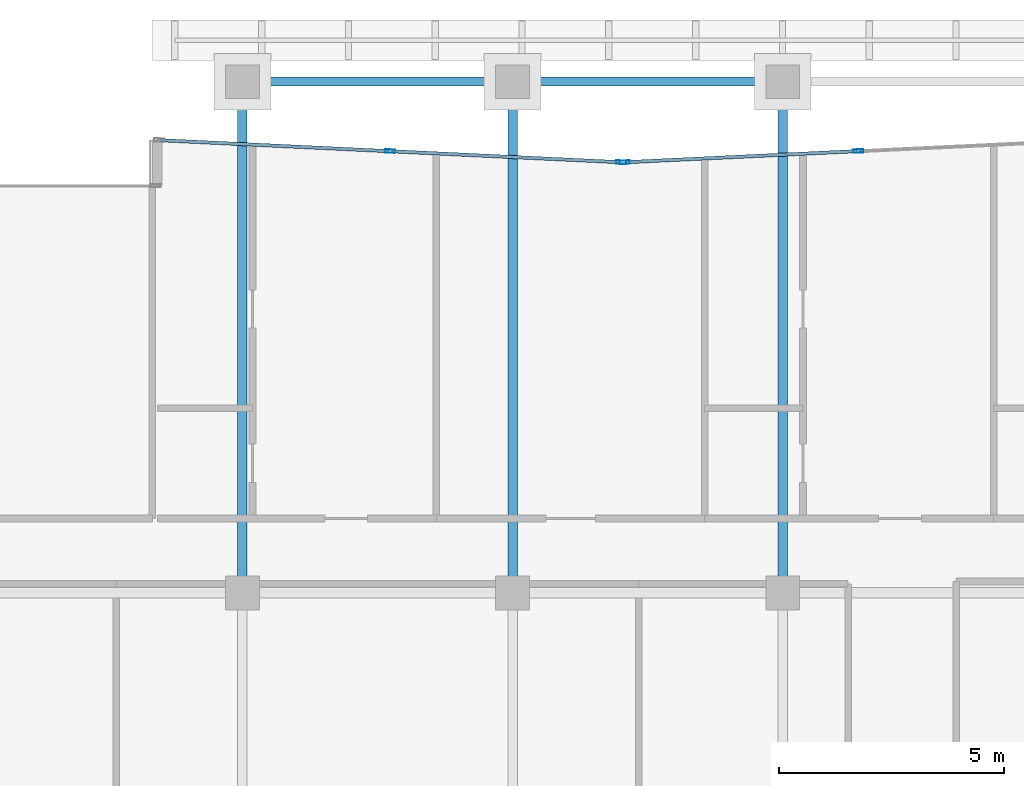
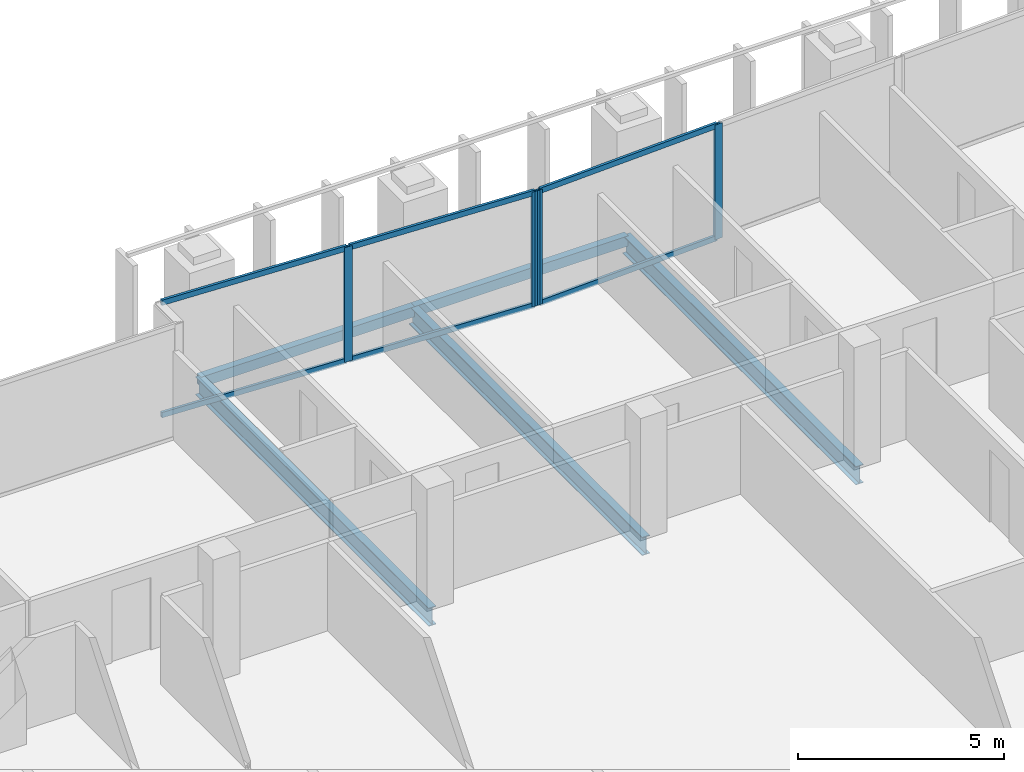
# One storey, part 14 of 32: 10 members, 5 beams, 2 elements without a shape of their own.
"""IFC4 building model written with IfcOpenShell, lengths in metres."""

import ifcopenshell
import ifcopenshell.guid

model = None  # the IFC model being written
_history = None  # IfcOwnerHistory: only IFC2X3 demands one
_inside = {}  # id of a spatial element -> (the spatial element, [elements in it])
_under = {}  # id of a project, library or spatial element -> (it, [spatial elements below it])
_declared = {}  # id of a project -> (the project, [libraries it declares])
_typed = {}  # id of a type object -> (the type object, [elements of that type])
_made_of = {}  # id of a material, layer set ... -> (it, [elements and type objects made of it])


def new_model(schema):
    """Start an empty IFC model of exactly this schema.

    Asked for "IFC4X3", IfcOpenShell would pick the latest addendum, in which some entities
    have other attributes; the version numbers below select the first issue.
    IFC2X3 requires an IfcOwnerHistory on every rooted entity: one is made here for all.
    """
    global model, _history
    if schema == "IFC4X3":
        model = ifcopenshell.file(schema_version=(4, 3, 0, 0))
    else:
        model = ifcopenshell.file(schema=schema)
    _inside.clear()
    _under.clear()
    _declared.clear()
    _typed.clear()
    _made_of.clear()
    _history = None
    if model.schema == "IFC2X3":
        org = make("IfcOrganization", Name="unknown")
        user = make(
            "IfcPersonAndOrganization",
            ThePerson=make("IfcPerson", FamilyName="unknown"),
            TheOrganization=org,
        )
        app = make(
            "IfcApplication",
            ApplicationDeveloper=org,
            Version="unknown",
            ApplicationFullName="unknown",
            ApplicationIdentifier="unknown",
        )
        _history = make(
            "IfcOwnerHistory",
            OwningUser=user,
            OwningApplication=app,
            ChangeAction="ADDED",
            CreationDate=0,
        )
    return model


def make(cls, **values):
    """One entity of the class cls with the attributes given. An attribute that is None is left unset."""
    return model.create_entity(
        cls, **{name: value for name, value in values.items() if value is not None}
    )


def rooted(cls, **values):
    """An entity with a GlobalId (a new one), such as an element, a storey or a relation."""
    return make(cls, GlobalId=ifcopenshell.guid.new(), OwnerHistory=_history, **values)


def si_unit(unit_type, name, prefix=None):
    """IfcSIUnit, for example si_unit("LENGTHUNIT", "METRE", prefix="MILLI")."""
    return make("IfcSIUnit", UnitType=unit_type, Prefix=prefix, Name=name)


def assignment(units):
    """IfcUnitAssignment: the units of a project."""
    return None if units is None else make("IfcUnitAssignment", Units=units)


def point(xyz):
    """IfcCartesianPoint."""
    return None if xyz is None else make("IfcCartesianPoint", Coordinates=xyz)


def direction(xyz):
    """IfcDirection."""
    return None if xyz is None else make("IfcDirection", DirectionRatios=xyz)


def frame(location, z_axis=None, x_axis=None):
    """IfcAxis2Placement3D, a coordinate frame: its origin and axes. An axis left out is left unset."""
    return make(
        "IfcAxis2Placement3D",
        Location=point(location),
        Axis=direction(z_axis),
        RefDirection=direction(x_axis),
    )


def frame_2d(location, x_axis=None):
    """IfcAxis2Placement2D, a coordinate frame in the plane: its origin and x axis."""
    return make(
        "IfcAxis2Placement2D", Location=point(location), RefDirection=direction(x_axis)
    )


def origin():
    """The frame at (0, 0, 0) with its axes left unset."""
    return frame((0.0, 0.0, 0.0))


def origin_2d():
    """The frame at (0, 0) in the plane with its x axis left unset."""
    return frame_2d((0.0, 0.0))


def place(relative_to, where):
    """IfcLocalPlacement: puts the frame where relative to a parent placement (None: the world)."""
    return make(
        "IfcLocalPlacement", PlacementRelTo=relative_to, RelativePlacement=where
    )


def context(
    kind, dimensions, precision=None, world=None, true_north=None, identifier=None
):
    """IfcGeometricRepresentationContext, for example the 3D "Model" context."""
    return make(
        "IfcGeometricRepresentationContext",
        ContextIdentifier=identifier,
        ContextType=kind,
        CoordinateSpaceDimension=dimensions,
        Precision=precision,
        WorldCoordinateSystem=world,
        TrueNorth=true_north,
    )


def subcontext(parent, identifier, kind, view, scale=None):
    """IfcGeometricRepresentationSubContext, for example "Body" below "Model"."""
    return make(
        "IfcGeometricRepresentationSubContext",
        ContextIdentifier=identifier,
        ContextType=kind,
        ParentContext=parent,
        TargetScale=scale,
        TargetView=view,
    )


def project(units=None, contexts=None):
    """IfcProject with its units and contexts."""
    return rooted(
        "IfcProject",
        Name="project",
        RepresentationContexts=contexts,
        UnitsInContext=assignment(units),
    )


def spatial(cls, under=None, at=None, **own):
    """A site, building, storey or space (cls), placed at a placement, below another one or the project."""
    s = rooted(cls, ObjectPlacement=at, **own)
    if under is not None:
        _under.setdefault(under.id(), (under, []))[1].append(s)
    return s


def profile(cls, at=None, kind="AREA", **sizes):
    """A parametric profile (cls). Its sizes go by their IFC names, for example OverallWidth=200.0."""
    return make(cls, ProfileType=kind, Position=at, **sizes)


def hollow_rectangle(**sizes):
    """IfcRectangleHollowProfileDef."""
    return profile("IfcRectangleHollowProfileDef", **sizes)


def i_section(**sizes):
    """IfcIShapeProfileDef."""
    return profile("IfcIShapeProfileDef", **sizes)


def extrude(swept, where, along, depth):
    """IfcExtrudedAreaSolid: the profile swept, set in the frame where, extruded along a direction by depth."""
    return make(
        "IfcExtrudedAreaSolid",
        SweptArea=swept,
        Position=where,
        ExtrudedDirection=direction(along),
        Depth=depth,
    )


def shape(context_of_items, identifier, shape_type, items):
    """IfcShapeRepresentation: the items that make up one representation, for example the "Body"."""
    return make(
        "IfcShapeRepresentation",
        ContextOfItems=context_of_items,
        RepresentationIdentifier=identifier,
        RepresentationType=shape_type,
        Items=items,
    )


def material(Name=None, Category=None):
    """IfcMaterial."""
    return make("IfcMaterial", Name=Name, Category=Category)


def layer(
    of_material, thickness, ventilated=None, Name=None, Category=None, Priority=None
):
    """IfcMaterialLayer: one layer of a wall or slab, of a material (None: an air gap)."""
    return make(
        "IfcMaterialLayer",
        Material=of_material,
        LayerThickness=thickness,
        IsVentilated=ventilated,
        Name=Name,
        Category=Category,
        Priority=Priority,
    )


def layer_set(layers, Name=None):
    """IfcMaterialLayerSet."""
    return make("IfcMaterialLayerSet", MaterialLayers=layers, LayerSetName=Name)


def material_profile(
    of_material, cross_section, Name=None, Category=None, Priority=None
):
    """IfcMaterialProfile: a cross section and its material."""
    return make(
        "IfcMaterialProfile",
        Name=Name,
        Material=of_material,
        Profile=cross_section,
        Priority=Priority,
        Category=Category,
    )


def profile_set(profiles, Name=None, composite=None):
    """IfcMaterialProfileSet."""
    return make(
        "IfcMaterialProfileSet",
        Name=Name,
        MaterialProfiles=profiles,
        CompositeProfile=composite,
    )


def made_of(thing, what):
    """Note that an element or type object is made of a material, layer set ...; save() writes the relation."""
    if what is not None:
        _made_of.setdefault(what.id(), (what, []))[1].append(thing)
    return thing


def type_object(cls, material=None, **own):
    """A type object (cls), such as IfcWallType, which elements share."""
    return made_of(rooted(cls, **own), material)


def element(
    cls,
    number,
    at=None,
    inside=None,
    cuts=None,
    type_object=None,
    material=None,
    context=None,
    identifier="Body",
    shape_type=None,
    held_by="IfcProductDefinitionShape",
    body=None,
    shapes=None,
    **own,
):
    """One element of the class cls, such as IfcWall. Its Tag is "e" and its number.

    at: its placement. inside: the storey or other place that contains it. cuts: it is an
    opening in that element (IfcRelVoidsElement). A single representation is given by context,
    identifier, shape_type and body (its items); several are given by shapes. held_by: the class
    of the entity that holds the representations. save() writes the other relations.
    """
    e = rooted(cls, Tag="e%d" % number, ObjectPlacement=at, **own)
    if body is not None:
        shapes = [shape(context, identifier, shape_type, body)]
    if shapes is not None:
        e.Representation = make(held_by, Representations=shapes)
    if inside is not None:
        _inside.setdefault(inside.id(), (inside, []))[1].append(e)
    if cuts is not None:
        rooted(
            "IfcRelVoidsElement", RelatingBuildingElement=cuts, RelatedOpeningElement=e
        )
    if type_object is not None:
        _typed.setdefault(type_object.id(), (type_object, []))[1].append(e)
    return made_of(e, material)


def aggregate(whole, parts):
    """IfcRelAggregates: a whole, such as a stair, and the parts it consists of."""
    return rooted("IfcRelAggregates", RelatingObject=whole, RelatedObjects=parts)


def save(model, path):
    """Write the relations noted so far, then the file.

    IfcRelAggregates (storeys below a building ...), IfcRelContainedInSpatialStructure (elements
    in a storey), IfcRelDefinesByType, IfcRelAssociatesMaterial and IfcRelDeclares: one each for
    every whole, place, type object, material and project.
    """
    for whole, parts in _under.values():
        aggregate(whole, parts)
    for where, things in _inside.values():
        rooted(
            "IfcRelContainedInSpatialStructure",
            RelatedElements=things,
            RelatingStructure=where,
        )
    for kind, things in _typed.values():
        rooted("IfcRelDefinesByType", RelatedObjects=things, RelatingType=kind)
    for what, things in _made_of.values():
        rooted("IfcRelAssociatesMaterial", RelatedObjects=things, RelatingMaterial=what)
    for by, libraries in _declared.values():
        rooted("IfcRelDeclares", RelatingContext=by, RelatedDefinitions=libraries)
    model.write(path)


model = new_model("IFC4")

# Units and contexts
model_context = context("Model", 3, precision=1e-05, world=origin(), true_north=direction((0.0, 1.0)))
body_context = subcontext(model_context, "Body", "Model", "MODEL_VIEW")
ifc_project = project(units=[si_unit("LENGTHUNIT", "METRE"), si_unit("AREAUNIT", "SQUARE_METRE"), si_unit("VOLUMEUNIT", "CUBIC_METRE"), si_unit("PLANEANGLEUNIT", "RADIAN"), si_unit("MASSUNIT", "GRAM", prefix="KILO")], contexts=[model_context])

# Site, building, storey
site_placement = place(None, origin())
site = spatial("IfcSite", under=ifc_project, at=site_placement, CompositionType="ELEMENT")
building_placement = place(site_placement, origin())
building = spatial("IfcBuilding", under=site, at=building_placement, Name="Tanjung Sevakor Pilgrim Tower", CompositionType="ELEMENT")
storey_placement = place(building_placement, frame((0.0, 0.0, 211.860107421875)))
storey = spatial("IfcBuildingStorey", under=building, at=storey_placement, Name="L59", CompositionType="ELEMENT", Elevation=211.860107421875)

# Beams
ifc_material_1 = material(Name="Steel S355J2", Category="steel")
ifc_material_profile_1 = material_profile(ifc_material_1, i_section(OverallWidth=0.2119140625, OverallDepth=0.54443359375, WebThickness=0.0126953125, FlangeThickness=0.021240234375, FilletRadius=0.0126953125, at=origin_2d()))
ifc_profile_set_1 = profile_set([ifc_material_profile_1], Name="Steel S355J2")
beam_type_1 = type_object("IfcBeamType", Name="BM-B-G5-UB_533x210x122", PredefinedType="BEAM", material=ifc_profile_set_1)
for number, where, z_axis, x_axis, name in (
    (1, (54.0, 42.60009765625, -0.492431640625), (0.0, 1.0, 0.0), (-1.0, 0.0, 0.0), "L59 MAIN Girder 011"),
    (2, (60.0, 42.60009765625, -0.492431640625), (0.0, 1.0, 0.0), (-1.0, 0.0, 0.0), "L59 MAIN Girder 014"),
    (3, (66.0, 42.60009765625, -0.492431640625), (0.0, 1.0, 0.0), (-1.0, 0.0, 0.0), "L59 MAIN Girder 017"),
):
    element("IfcBeam", number, at=place(storey_placement, frame(where, z_axis=z_axis, x_axis=x_axis)), inside=storey, type_object=beam_type_1, Name=name, PredefinedType="BEAM", context=body_context, shape_type="SweptSolid", body=[
        extrude(i_section(OverallWidth=0.2119140625, OverallDepth=0.54443359375, WebThickness=0.0126953125, FlangeThickness=0.021240234375, FilletRadius=0.0126953125, at=origin_2d()), origin(), (0.0, 0.0, 1.0), 11.349853515625),
    ])
ifc_material_2 = material(Name="Steel S355J2", Category="steel")
ifc_material_profile_2 = material_profile(ifc_material_2, hollow_rectangle(XDim=0.199951171875, YDim=0.300048828125, WallThickness=0.012451171875, at=origin_2d()))
ifc_profile_set_2 = profile_set([ifc_material_profile_2], Name="Steel S355J2")
beam_type_2 = type_object("IfcBeamType", Name="BM-B-SP3-RHS_300x200x12.5", PredefinedType="SPANDREL", material=ifc_profile_set_2)
for number, where, z_axis, x_axis, name in (
    (4, (54.0, 53.949951171875, -0.3701171875), (1.0, 0.0, 0.0), (0.0, 1.0, 0.0), "L59 Spandrel MAIN N-06"),
    (5, (60.0, 53.949951171875, -0.3701171875), (1.0, 0.0, 0.0), (0.0, 1.0, 0.0), "L59 Spandrel MAIN N-08"),
):
    element("IfcBeam", number, at=place(storey_placement, frame(where, z_axis=z_axis, x_axis=x_axis)), inside=storey, type_object=beam_type_2, Name=name, PredefinedType="SPANDREL", context=body_context, shape_type="SweptSolid", body=[
        extrude(hollow_rectangle(XDim=0.199951171875, YDim=0.300048828125, WallThickness=0.012451171875, at=origin_2d()), origin(), (0.0, 0.0, 1.0), 6.0),
    ])

# Curtain wall, members
ifc_material_3 = material(Name="Aluminium 6063-T6 and Low-E Glass", Category="aluminium")
ifc_layer = layer(ifc_material_3, 0.199951171875)
ifc_layer_set = layer_set([ifc_layer], Name="CW-SYS-PRAY")
curtain_wall_type = type_object("IfcCurtainWallType", Name="CW-SYS-PRAY", PredefinedType="NOTDEFINED", material=ifc_layer_set)
curtain_wall_1_placement = place(storey_placement, origin())
curtain_wall_1 = element("IfcCurtainWall", 6, at=curtain_wall_1_placement, inside=storey, type_object=curtain_wall_type, Name="L59 Curtain Wall CW-PRY-L59-22", PredefinedType="NOTDEFINED")
ifc_material_4 = material(Name="Aluminium 6063-T6", Category="aluminium")
ifc_material_profile_3 = material_profile(ifc_material_4, hollow_rectangle(XDim=0.074951171875, YDim=0.219970703125, WallThickness=0.0048828125, at=origin_2d()))
ifc_profile_set_3 = profile_set([ifc_material_profile_3], Name="Aluminium 6063-T6")
member_type_1 = type_object("IfcMemberType", Name="TYPE-CWM-2", PredefinedType="MULLION", material=ifc_profile_set_3)
member_1_placement = place(storey_placement, frame((67.677734375, 52.409912109375, 0.0), z_axis=(0.0, 0.0, 1.0), x_axis=(0.047787107337, -0.998857543583, 0.0)))
member_1 = element("IfcMember", 7, at=member_1_placement, type_object=member_type_1, Name="CW-PRY mullion 2", PredefinedType="MULLION", context=body_context, shape_type="SweptSolid", body=[
    extrude(hollow_rectangle(XDim=0.074951171875, YDim=0.219970703125, WallThickness=0.0048828125, at=origin_2d()), origin(), (0.0, 0.0, 1.0), 3.409912109375),
])
member_2_placement = place(storey_placement, frame((62.487548828125, 52.16162109375, 0.0), z_axis=(0.0, 0.0, 1.0), x_axis=(0.047787107337, -0.998857543583, 0.0)))
member_2 = element("IfcMember", 8, at=member_2_placement, type_object=member_type_1, Name="CW-PRY mullion 3", PredefinedType="MULLION", context=body_context, shape_type="SweptSolid", body=[
    extrude(hollow_rectangle(XDim=0.074951171875, YDim=0.219970703125, WallThickness=0.0048828125, at=origin_2d()), origin(), (0.0, 0.0, 1.0), 3.409912109375),
])

curtain_wall_2_placement = place(storey_placement, origin())
curtain_wall_2 = element("IfcCurtainWall", 9, at=curtain_wall_2_placement, inside=storey, type_object=curtain_wall_type, Name="L59 Curtain Wall CW-PRY-L59-23", PredefinedType="NOTDEFINED")
member_3_placement = place(storey_placement, frame((62.41259765625, 52.16162109375, 0.0), z_axis=(0.0, 0.0, 1.0), x_axis=(-0.047788664414, -0.998857469088, 0.0)))
member_3 = element("IfcMember", 10, at=member_3_placement, type_object=member_type_1, Name="CW-PRY mullion 1", PredefinedType="MULLION", context=body_context, shape_type="SweptSolid", body=[
    extrude(hollow_rectangle(XDim=0.074951171875, YDim=0.219970703125, WallThickness=0.0048828125, at=origin_2d()), origin(), (0.0, 0.0, 1.0), 3.409912109375),
])
member_4_placement = place(storey_placement, frame((57.280029296875, 52.4072265625, 0.0), z_axis=(0.0, 0.0, 1.0), x_axis=(-0.047788664414, -0.998857469088, 0.0)))
member_4 = element("IfcMember", 11, at=member_4_placement, type_object=member_type_1, Name="CW-PRY mullion 2", PredefinedType="MULLION", context=body_context, shape_type="SweptSolid", body=[
    extrude(hollow_rectangle(XDim=0.074951171875, YDim=0.219970703125, WallThickness=0.0048828125, at=origin_2d()), origin(), (0.0, 0.0, 1.0), 3.409912109375),
])

# Member
ifc_material_5 = material(Name="Aluminium 6063-T6", Category="aluminium")
ifc_material_profile_4 = material_profile(ifc_material_5, hollow_rectangle(XDim=0.074951171875, YDim=0.159912109375, WallThickness=0.00439453125, at=origin_2d()))
ifc_profile_set_4 = profile_set([ifc_material_profile_4], Name="Aluminium 6063-T6")
member_type_2 = type_object("IfcMemberType", Name="TYPE-CWT-2", PredefinedType="USERDEFINED", material=ifc_profile_set_4)
member_5_placement = place(storey_placement, frame((67.64013671875, 52.408203125, 0.037353515625), z_axis=(-0.998858409618, -0.047769001835, 0.0), x_axis=(0.047769001835, -0.998858409618, 0.0)))
member_5 = element("IfcMember", 12, at=member_5_placement, type_object=member_type_2, Name="CW-PRY transom 2.1", ObjectType="TRANSOM", PredefinedType="USERDEFINED", context=body_context, shape_type="SweptSolid", body=[
    extrude(hollow_rectangle(XDim=0.074951171875, YDim=0.159912109375, WallThickness=0.00439453125, at=origin_2d()), origin(), (0.0, 0.0, 1.0), 5.12109375),
])

member_6_placement = place(storey_placement, frame((67.64013671875, 52.408203125, 3.372314453125), z_axis=(-0.998858409618, -0.047769001835, 0.0), x_axis=(0.047769001835, -0.998858409618, 0.0)))
member_6 = element("IfcMember", 13, at=member_6_placement, type_object=member_type_2, Name="CW-PRY transom 2.2", ObjectType="TRANSOM", PredefinedType="USERDEFINED", context=body_context, shape_type="SweptSolid", body=[
    extrude(hollow_rectangle(XDim=0.074951171875, YDim=0.159912109375, WallThickness=0.00439453125, at=origin_2d()), origin(), (0.0, 0.0, 1.0), 5.12109375),
])

aggregate(curtain_wall_1, [member_1, member_2, member_5, member_6])

member_7_placement = place(storey_placement, frame((62.375, 52.16357421875, 0.037353515625), z_axis=(-0.998857750692, 0.047782778091, 0.0), x_axis=(-0.047782778091, -0.998857750692, 0.0)))
member_7 = element("IfcMember", 14, at=member_7_placement, type_object=member_type_2, Name="CW-PRY transom 1.1", ObjectType="TRANSOM", PredefinedType="USERDEFINED", context=body_context, shape_type="SweptSolid", body=[
    extrude(hollow_rectangle(XDim=0.074951171875, YDim=0.159912109375, WallThickness=0.00439453125, at=origin_2d()), origin(), (0.0, 0.0, 1.0), 5.0634765625),
])

member_8_placement = place(storey_placement, frame((62.375, 52.16357421875, 3.372314453125), z_axis=(-0.998857750692, 0.047782778091, 0.0), x_axis=(-0.047782778091, -0.998857750692, 0.0)))
member_8 = element("IfcMember", 15, at=member_8_placement, type_object=member_type_2, Name="CW-PRY transom 1.2", ObjectType="TRANSOM", PredefinedType="USERDEFINED", context=body_context, shape_type="SweptSolid", body=[
    extrude(hollow_rectangle(XDim=0.074951171875, YDim=0.159912109375, WallThickness=0.00439453125, at=origin_2d()), origin(), (0.0, 0.0, 1.0), 5.0634765625),
])

member_9_placement = place(storey_placement, frame((57.242431640625, 52.408935546875, 0.037353515625), z_axis=(-0.998855448241, 0.047830884565, 0.0), x_axis=(-0.047830884565, -0.998855448241, 0.0)))
member_9 = element("IfcMember", 16, at=member_9_placement, type_object=member_type_2, Name="CW-PRY transom 2.1", ObjectType="TRANSOM", PredefinedType="USERDEFINED", context=body_context, shape_type="SweptSolid", body=[
    extrude(hollow_rectangle(XDim=0.074951171875, YDim=0.159912109375, WallThickness=0.00439453125, at=origin_2d()), origin(), (0.0, 0.0, 1.0), 5.0634765625),
])

member_10_placement = place(storey_placement, frame((57.242431640625, 52.408935546875, 3.372314453125), z_axis=(-0.998855448241, 0.047830884565, 0.0), x_axis=(-0.047830884565, -0.998855448241, 0.0)))
member_10 = element("IfcMember", 17, at=member_10_placement, type_object=member_type_2, Name="CW-PRY transom 2.2", ObjectType="TRANSOM", PredefinedType="USERDEFINED", context=body_context, shape_type="SweptSolid", body=[
    extrude(hollow_rectangle(XDim=0.074951171875, YDim=0.159912109375, WallThickness=0.00439453125, at=origin_2d()), origin(), (0.0, 0.0, 1.0), 5.0634765625),
])

aggregate(curtain_wall_2, [member_3, member_4, member_7, member_8, member_9, member_10])

save(model, "model.ifc")
